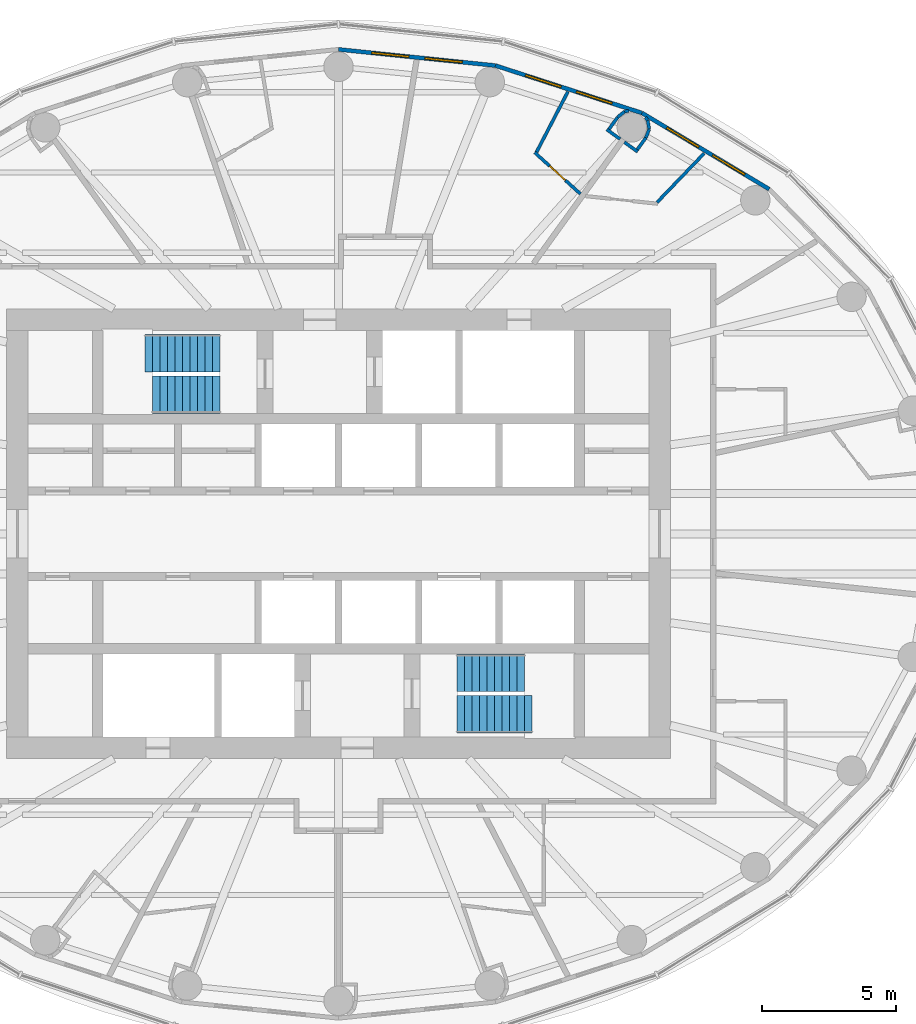
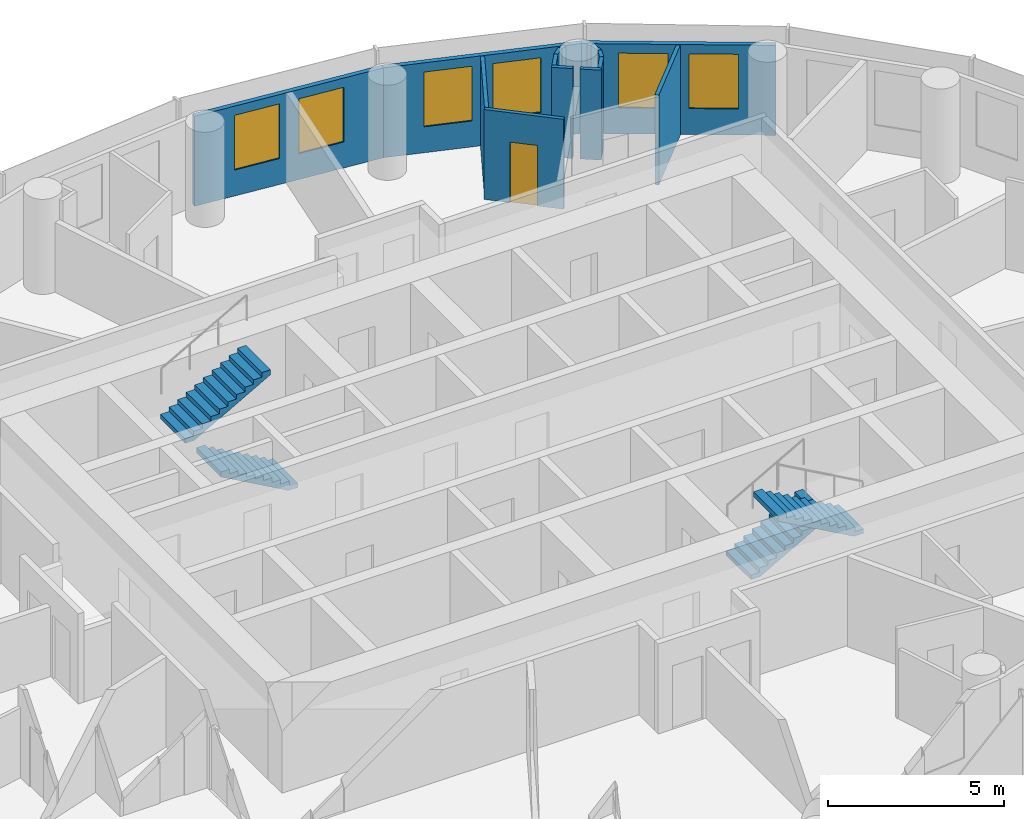
# One storey, part 12 of 13: 15 walls, 6 windows, 4 stair flights, 1 door, 7 openings, 2 elements without a shape of their own.
"""IFC4 building model written with IfcOpenShell, lengths in metres."""

from ifc_helpers import new_model, si_unit, direction, frame, frame_2d, origin, place, context, subcontext, project, spatial, polyline, rectangle, outline, extrude, material, layer, layer_set, type_object, element, fill, aggregate, save


model = new_model("IFC4")

# Units and contexts
model_context = context("Model", 3, precision=1e-05, world=origin(), true_north=direction((0.0, 1.0)))
body_context = subcontext(model_context, "Body", "Model", "MODEL_VIEW")
ifc_project = project(units=[si_unit("LENGTHUNIT", "METRE"), si_unit("AREAUNIT", "SQUARE_METRE"), si_unit("VOLUMEUNIT", "CUBIC_METRE"), si_unit("PLANEANGLEUNIT", "RADIAN"), si_unit("MASSUNIT", "GRAM", prefix="KILO")], contexts=[model_context])

# Site, building, storey
site_placement = place(None, origin())
site = spatial("IfcSite", under=ifc_project, at=site_placement, CompositionType="ELEMENT")
building_placement = place(site_placement, origin())
building = spatial("IfcBuilding", under=site, at=building_placement, Name="Hankou Lantern Tower", CompositionType="ELEMENT")
storey_placement = place(building_placement, frame((0.0, 0.0, 156.60009765625)))
storey = spatial("IfcBuildingStorey", under=building, at=storey_placement, Name="L41", CompositionType="ELEMENT", Elevation=156.60009765625)

# Wall, openings, windows
ifc_material_1 = material(Name="Aluminium spandrel panel on steel studs", Category="steel")
ifc_layer_1 = layer(ifc_material_1, 0.14990234375)
ifc_layer_set_1 = layer_set([ifc_layer_1], Name="Aluminium spandrel panel on steel studs")
wall_type_1 = type_object("IfcWallType", Name="EW1 INNER SKIN WALL 150", PredefinedType="ELEMENTEDWALL", material=ifc_layer_set_1)
wall_1_placement = place(storey_placement, frame((16.0947265625, 12.875732421875, 0.0), z_axis=(0.0, 0.0, 1.0), x_axis=(-0.857695199231, 0.514158482587, 0.0)))
wall_1 = element("IfcWall", 1, at=wall_1_placement, inside=storey, type_object=wall_type_1, Name="Inner skin R04-R05 L41", PredefinedType="ELEMENTEDWALL", context=body_context, shape_type="SweptSolid", body=[
    extrude(rectangle(XDim=5.5361328125, YDim=0.14990234375, at=frame_2d((2.76806640625, 0.0))), origin(), (0.0, 0.0, 1.0), 3.119873046875),
])
opening_1_placement = place(wall_1_placement, frame((1.068115234375, 0.0, 0.89990234375)))
opening_1 = element("IfcOpeningElement", 2, at=opening_1_placement, cuts=wall_1, Name="Opening W3", PredefinedType="OPENING", context=body_context, shape_type="SweptSolid", body=[
    extrude(rectangle(XDim=1.39990234375, YDim=1.89990234375, at=frame_2d((0.699951171875, 0.949951171875))), frame((0.0, 0.0849609375, 0.0), z_axis=(0.0, -1.0, 0.0), x_axis=(1.0, 0.0, 0.0)), (0.0, 0.0, 1.0), 0.169921875),
])
opening_2_placement = place(wall_1_placement, frame((3.068115234375, 0.0, 0.89990234375)))
opening_2 = element("IfcOpeningElement", 3, at=opening_2_placement, cuts=wall_1, Name="Opening W3", PredefinedType="OPENING", context=body_context, shape_type="SweptSolid", body=[
    extrude(rectangle(XDim=1.39990234375, YDim=1.89990234375, at=frame_2d((0.699951171875, 0.949951171875))), frame((0.0, 0.0849609375, 0.0), z_axis=(0.0, -1.0, 0.0), x_axis=(1.0, 0.0, 0.0)), (0.0, 0.0, 1.0), 0.169921875),
])
ifc_material_2 = material(Name="Aluminium framed double glazed window", Category="aluminium")
window_type = type_object("IfcWindowType", Name="W3 GUEST ROOM WINDOW 1400X1900", PartitioningType="DOUBLE_PANEL_VERTICAL", PredefinedType="WINDOW", material=ifc_material_2)
window_1_placement = place(opening_1_placement, origin())
window_1 = element("IfcWindow", 4, at=window_1_placement, inside=storey, type_object=window_type, Name="Window R04.1 L41", OverallHeight=1.89990234375, OverallWidth=1.39990234375, PartitioningType="SINGLE_PANEL", PredefinedType="WINDOW", context=body_context, shape_type="SweptSolid", body=[
    extrude(rectangle(XDim=1.39990234375, YDim=1.89990234375, at=frame_2d((0.699951171875, 0.949951171875))), frame((0.0, 0.030029296875, 0.0), z_axis=(0.0, -1.0, 0.0), x_axis=(1.0, 0.0, 0.0)), (0.0, 0.0, 1.0), 0.06005859375),
])
fill(opening_1, window_1)
window_2_placement = place(opening_2_placement, origin())
window_2 = element("IfcWindow", 5, at=window_2_placement, inside=storey, type_object=window_type, Name="Window R04.2 L41", OverallHeight=1.89990234375, OverallWidth=1.39990234375, PartitioningType="SINGLE_PANEL", PredefinedType="WINDOW", context=body_context, shape_type="SweptSolid", body=[
    extrude(rectangle(XDim=1.39990234375, YDim=1.89990234375, at=frame_2d((0.699951171875, 0.949951171875))), frame((0.0, 0.030029296875, 0.0), z_axis=(0.0, -1.0, 0.0), x_axis=(1.0, 0.0, 0.0)), (0.0, 0.0, 1.0), 0.06005859375),
])
fill(opening_2, window_2)

wall_2_placement = place(storey_placement, frame((11.346435546875, 15.72216796875, 0.0), z_axis=(0.0, 0.0, 1.0), x_axis=(-0.951432482129, 0.307857486429, 0.0)))
wall_2 = element("IfcWall", 6, at=wall_2_placement, inside=storey, type_object=wall_type_1, Name="Inner skin R05-R06 L41", PredefinedType="ELEMENTEDWALL", context=body_context, shape_type="SweptSolid", body=[
    extrude(rectangle(XDim=5.76611328125, YDim=0.14990234375, at=frame_2d((2.883056640625, 0.0))), origin(), (0.0, 0.0, 1.0), 3.119873046875),
])
opening_3_placement = place(wall_2_placement, frame((1.18310546875, 0.0, 0.89990234375)))
opening_3 = element("IfcOpeningElement", 7, at=opening_3_placement, cuts=wall_2, Name="Opening W3", PredefinedType="OPENING", context=body_context, shape_type="SweptSolid", body=[
    extrude(rectangle(XDim=1.39990234375, YDim=1.89990234375, at=frame_2d((0.699951171875, 0.949951171875))), frame((0.0, 0.0849609375, 0.0), z_axis=(0.0, -1.0, 0.0), x_axis=(1.0, 0.0, 0.0)), (0.0, 0.0, 1.0), 0.169921875),
])
opening_4_placement = place(wall_2_placement, frame((3.18310546875, 0.0, 0.89990234375)))
opening_4 = element("IfcOpeningElement", 8, at=opening_4_placement, cuts=wall_2, Name="Opening W3", PredefinedType="OPENING", context=body_context, shape_type="SweptSolid", body=[
    extrude(rectangle(XDim=1.39990234375, YDim=1.89990234375, at=frame_2d((0.699951171875, 0.949951171875))), frame((0.0, 0.0849609375, 0.0), z_axis=(0.0, -1.0, 0.0), x_axis=(1.0, 0.0, 0.0)), (0.0, 0.0, 1.0), 0.169921875),
])
window_3_placement = place(opening_3_placement, origin())
window_3 = element("IfcWindow", 9, at=window_3_placement, inside=storey, type_object=window_type, Name="Window R05.1 L41", OverallHeight=1.89990234375, OverallWidth=1.39990234375, PartitioningType="SINGLE_PANEL", PredefinedType="WINDOW", context=body_context, shape_type="SweptSolid", body=[
    extrude(rectangle(XDim=1.39990234375, YDim=1.89990234375, at=frame_2d((0.699951171875, 0.949951171875))), frame((0.0, 0.030029296875, 0.0), z_axis=(0.0, -1.0, 0.0), x_axis=(1.0, 0.0, 0.0)), (0.0, 0.0, 1.0), 0.06005859375),
])
fill(opening_3, window_3)
window_4_placement = place(opening_4_placement, origin())
window_4 = element("IfcWindow", 10, at=window_4_placement, inside=storey, type_object=window_type, Name="Window R05.2 L41", OverallHeight=1.89990234375, OverallWidth=1.39990234375, PartitioningType="SINGLE_PANEL", PredefinedType="WINDOW", context=body_context, shape_type="SweptSolid", body=[
    extrude(rectangle(XDim=1.39990234375, YDim=1.89990234375, at=frame_2d((0.699951171875, 0.949951171875))), frame((0.0, 0.030029296875, 0.0), z_axis=(0.0, -1.0, 0.0), x_axis=(1.0, 0.0, 0.0)), (0.0, 0.0, 1.0), 0.06005859375),
])
fill(opening_4, window_4)

wall_3_placement = place(storey_placement, frame((5.8603515625, 17.497314453125, 0.0), z_axis=(0.0, 0.0, 1.0), x_axis=(-0.994751738032, 0.102318032045, 0.0)))
wall_3 = element("IfcWall", 11, at=wall_3_placement, inside=storey, type_object=wall_type_1, Name="Inner skin R06-R07 L41", PredefinedType="ELEMENTEDWALL", context=body_context, shape_type="SweptSolid", body=[
    extrude(rectangle(XDim=5.891357421875, YDim=0.14990234375, at=frame_2d((2.94580078125, 0.0))), origin(), (0.0, 0.0, 1.0), 3.119873046875),
])
opening_5_placement = place(wall_3_placement, frame((1.24560546875, 0.0, 0.89990234375)))
opening_5 = element("IfcOpeningElement", 12, at=opening_5_placement, cuts=wall_3, Name="Opening W3", PredefinedType="OPENING", context=body_context, shape_type="SweptSolid", body=[
    extrude(rectangle(XDim=1.39990234375, YDim=1.89990234375, at=frame_2d((0.699951171875, 0.949951171875))), frame((0.0, 0.0849609375, 0.0), z_axis=(0.0, -1.0, 0.0), x_axis=(1.0, 0.0, 0.0)), (0.0, 0.0, 1.0), 0.169921875),
])
opening_6_placement = place(wall_3_placement, frame((3.24560546875, 0.0, 0.89990234375)))
opening_6 = element("IfcOpeningElement", 13, at=opening_6_placement, cuts=wall_3, Name="Opening W3", PredefinedType="OPENING", context=body_context, shape_type="SweptSolid", body=[
    extrude(rectangle(XDim=1.39990234375, YDim=1.89990234375, at=frame_2d((0.699951171875, 0.949951171875))), frame((0.0, 0.0849609375, 0.0), z_axis=(0.0, -1.0, 0.0), x_axis=(1.0, 0.0, 0.0)), (0.0, 0.0, 1.0), 0.169921875),
])
window_5_placement = place(opening_5_placement, origin())
window_5 = element("IfcWindow", 14, at=window_5_placement, inside=storey, type_object=window_type, Name="Window R06.1 L41", OverallHeight=1.89990234375, OverallWidth=1.39990234375, PartitioningType="SINGLE_PANEL", PredefinedType="WINDOW", context=body_context, shape_type="SweptSolid", body=[
    extrude(rectangle(XDim=1.39990234375, YDim=1.89990234375, at=frame_2d((0.699951171875, 0.949951171875))), frame((0.0, 0.030029296875, 0.0), z_axis=(0.0, -1.0, 0.0), x_axis=(1.0, 0.0, 0.0)), (0.0, 0.0, 1.0), 0.06005859375),
])
fill(opening_5, window_5)
window_6_placement = place(opening_6_placement, origin())
window_6 = element("IfcWindow", 15, at=window_6_placement, inside=storey, type_object=window_type, Name="Window R06.2 L41", OverallHeight=1.89990234375, OverallWidth=1.39990234375, PartitioningType="SINGLE_PANEL", PredefinedType="WINDOW", context=body_context, shape_type="SweptSolid", body=[
    extrude(rectangle(XDim=1.39990234375, YDim=1.89990234375, at=frame_2d((0.699951171875, 0.949951171875))), frame((0.0, 0.030029296875, 0.0), z_axis=(0.0, -1.0, 0.0), x_axis=(1.0, 0.0, 0.0)), (0.0, 0.0, 1.0), 0.06005859375),
])
fill(opening_6, window_6)

# Walls
ifc_material_3 = material(Name="Masonry lightweight concrete block", Category="masonry")
ifc_layer_2 = layer(ifc_material_3, 0.1201171875)
ifc_layer_set_2 = layer_set([ifc_layer_2], Name="Masonry lightweight concrete block")
wall_type_2 = type_object("IfcWallType", Name="IW3 BATHROOM WALL 120", PredefinedType="PARTITIONING", material=ifc_layer_set_2)
wall_4_placement = place(storey_placement, frame((11.90234375, 12.383056640625, 0.0), z_axis=(0.0, 0.0, 1.0), x_axis=(0.69298385335, 0.720953104574, 0.0)))
element("IfcWall", 16, at=wall_4_placement, inside=storey, type_object=wall_type_2, Name="Box wall 4113 2", PredefinedType="PARTITIONING", context=body_context, shape_type="SweptSolid", body=[
    extrude(rectangle(XDim=2.5400390625, YDim=0.1201171875, at=frame_2d((1.27001953125, 0.0))), origin(), (0.0, 0.0, 1.0), 3.119873046875),
])
wall_5_placement = place(storey_placement, frame((10.683837890625, 14.633056640625, 0.0), z_axis=(0.0, 0.0, 1.0), x_axis=(0.810921075692, -0.585155542568, 0.0)))
element("IfcWall", 17, at=wall_5_placement, inside=storey, type_object=wall_type_2, Name="Column casing 4113 return", PredefinedType="PARTITIONING", context=body_context, shape_type="SweptSolid", body=[
    extrude(rectangle(XDim=0.612060546875, YDim=0.1201171875, at=frame_2d((0.30615234375, 0.0))), origin(), (0.0, 0.0, 1.0), 3.119873046875),
])
wall_6_placement = place(storey_placement, frame((11.166748046875, 14.358642578125, 0.0), z_axis=(0.0, 0.0, 1.0), x_axis=(0.585263549799, 0.810843127415, 0.0)))
element("IfcWall", 18, at=wall_6_placement, inside=storey, type_object=wall_type_2, Name="Column casing 4113", PredefinedType="PARTITIONING", context=body_context, shape_type="SweptSolid", body=[
    extrude(rectangle(XDim=0.5498046875, YDim=0.1201171875, at=frame_2d((0.27490234375, 0.0))), origin(), (0.0, 0.0, 1.0), 3.119873046875),
])
for number, where, z_axis, x_axis, name in (
    (19, (11.488525390625, 14.804443359375, 0.0), (0.0, 0.0, 1.0), (0.355634599475, 0.934625075448, 0.0), "Column casing 4113"),
    (20, (11.608642578125, 15.1201171875, 0.0), (0.0, 0.0, 1.0), (-0.159823572519, 0.987145594969, 0.0), "Column casing 4113"),
):
    element("IfcWall", number, at=place(storey_placement, frame(where, z_axis=z_axis, x_axis=x_axis)), inside=storey, type_object=wall_type_2, Name=name, PredefinedType="PARTITIONING", context=body_context, shape_type="SweptSolid", body=[
        extrude(rectangle(XDim=0.337646484375, YDim=0.1201171875, at=frame_2d((0.1689453125, 0.0))), origin(), (0.0, 0.0, 1.0), 3.119873046875),
    ])
wall_7_placement = place(storey_placement, frame((11.5546875, 15.453369140625, 0.0), z_axis=(0.0, 0.0, 1.0), x_axis=(-0.631711901025, 0.775203246964, 0.0)))
element("IfcWall", 21, at=wall_7_placement, inside=storey, type_object=wall_type_2, Name="Column casing 4113", PredefinedType="PARTITIONING", context=body_context, shape_type="SweptSolid", body=[
    extrude(rectangle(XDim=0.139404296875, YDim=0.1201171875, at=frame_2d((0.06982421875, 0.0))), origin(), (0.0, 0.0, 1.0), 3.119873046875),
])

# Wall, opening, door
wall_8_placement = place(storey_placement, frame((9.041748046875, 12.699462890625, 0.0), z_axis=(0.0, 0.0, 1.0), x_axis=(-0.741100257539, 0.671394376112, 0.0)))
wall_8 = element("IfcWall", 22, at=wall_8_placement, inside=storey, type_object=wall_type_2, Name="Box wall 4114 1", PredefinedType="PARTITIONING", context=body_context, shape_type="SweptSolid", body=[
    extrude(rectangle(XDim=2.3115234375, YDim=0.1201171875, at=frame_2d((1.15576171875, 0.0))), origin(), (0.0, 0.0, 1.0), 3.119873046875),
])
opening_7_placement = place(wall_8_placement, frame((0.755859375, 0.0, 0.0)))
opening_7 = element("IfcOpeningElement", 23, at=opening_7_placement, cuts=wall_8, Name="Opening D3", PredefinedType="OPENING", context=body_context, shape_type="SweptSolid", body=[
    extrude(rectangle(XDim=0.800048828125, YDim=2.10009765625, at=frame_2d((0.39990234375, 1.050048828125))), frame((0.0, 0.070068359375, 0.0), z_axis=(0.0, -1.0, 0.0), x_axis=(1.0, 0.0, 0.0)), (0.0, 0.0, 1.0), 0.14013671875),
])
ifc_material_4 = material(Name="Timber door leaf", Category="wood")
door_type = type_object("IfcDoorType", Name="D3 BATHROOM DOOR 800X2100", OperationType="SINGLE_SWING_LEFT", PredefinedType="DOOR", material=ifc_material_4)
door_placement = place(opening_7_placement, origin())
door = element("IfcDoor", 24, at=door_placement, inside=storey, type_object=door_type, Name="En-suite bathroom 4114 door", OperationType="SINGLE_SWING_LEFT", OverallHeight=2.10009765625, OverallWidth=0.800048828125, PredefinedType="DOOR", context=body_context, shape_type="SweptSolid", body=[
    extrude(rectangle(XDim=0.800048828125, YDim=2.10009765625, at=frame_2d((0.39990234375, 1.050048828125))), frame((0.0, 0.02490234375, 0.0), z_axis=(0.0, -1.0, 0.0), x_axis=(1.0, 0.0, 0.0)), (0.0, 0.0, 1.0), 0.050048828125),
])
fill(opening_7, door)

# Walls
wall_9_placement = place(storey_placement, frame((7.400634765625, 14.264404296875, 0.0), z_axis=(0.0, 0.0, 1.0), x_axis=(0.460505131319, 0.887657041897, 0.0)))
element("IfcWall", 25, at=wall_9_placement, inside=storey, type_object=wall_type_2, Name="Box wall 4114 2", PredefinedType="PARTITIONING", context=body_context, shape_type="SweptSolid", body=[
    extrude(rectangle(XDim=2.5400390625, YDim=0.1201171875, at=frame_2d((1.27001953125, 0.0))), origin(), (0.0, 0.0, 1.0), 3.119873046875),
])
wall_10_placement = place(storey_placement, frame((10.521728515625, 14.750244140625, 0.0), z_axis=(0.0, 0.0, 1.0), x_axis=(-0.811057588427, 0.584966313777, 0.0)))
element("IfcWall", 26, at=wall_10_placement, inside=storey, type_object=wall_type_2, Name="Column casing 4114 return", PredefinedType="PARTITIONING", context=body_context, shape_type="SweptSolid", body=[
    extrude(rectangle(XDim=0.6123046875, YDim=0.1201171875, at=frame_2d((0.30615234375, 0.0))), origin(), (0.0, 0.0, 1.0), 3.119873046875),
])
wall_11_placement = place(storey_placement, frame((10.10888671875, 15.121826171875, 0.0), z_axis=(0.0, 0.0, 1.0), x_axis=(0.585344718358, 0.810784534072, 0.0)))
element("IfcWall", 27, at=wall_11_placement, inside=storey, type_object=wall_type_2, Name="Column casing 4114", PredefinedType="PARTITIONING", context=body_context, shape_type="SweptSolid", body=[
    extrude(rectangle(XDim=0.550048828125, YDim=0.1201171875, at=frame_2d((0.27490234375, 0.0))), origin(), (0.0, 0.0, 1.0), 3.119873046875),
])
wall_12_placement = place(storey_placement, frame((10.430908203125, 15.56787109375, 0.0), z_axis=(0.0, 0.0, 1.0), x_axis=(0.77505137267, 0.631898227345, 0.0)))
element("IfcWall", 28, at=wall_12_placement, inside=storey, type_object=wall_type_2, Name="Column casing 4114", PredefinedType="PARTITIONING", context=body_context, shape_type="SweptSolid", body=[
    extrude(rectangle(XDim=0.337646484375, YDim=0.1201171875, at=frame_2d((0.1689453125, 0.0))), origin(), (0.0, 0.0, 1.0), 3.119873046875),
])
wall_13_placement = place(storey_placement, frame((10.692626953125, 15.78125, 0.0), z_axis=(0.0, 0.0, 1.0), x_axis=(0.987256785332, 0.159135287777, 0.0)))
element("IfcWall", 29, at=wall_13_placement, inside=storey, type_object=wall_type_2, Name="Column casing 4114", PredefinedType="PARTITIONING", context=body_context, shape_type="SweptSolid", body=[
    extrude(rectangle(XDim=0.157958984375, YDim=0.1201171875, at=frame_2d((0.0791015625, 0.0))), origin(), (0.0, 0.0, 1.0), 3.119873046875),
])

# Stair, stair flight
ifc_material_5 = material(Name="Concrete C40", Category="concrete")
stair_type = type_object("IfcStairType", Name="ST33 CORE STAIR 3300 RISE", PredefinedType="HALF_TURN_STAIR", material=ifc_material_5)
stair_1_placement = place(storey_placement, origin())
stair_1 = element("IfcStair", 30, at=stair_1_placement, inside=storey, type_object=stair_type, Name="Stair STA L41", PredefinedType="HALF_TURN_STAIR")
ifc_material_6 = material(Name="Concrete C40", Category="concrete")
stair_flight_type_1 = type_object("IfcStairFlightType", Name="CF10 CORE STAIR FLIGHT 1400 X 10 RISERS", PredefinedType="STRAIGHT", material=ifc_material_6)
stair_flight_1_placement = place(storey_placement, frame((-4.429931640625, 5.199951171875, 0.0), z_axis=(0.0, 0.0, 1.0), x_axis=(-1.0, 0.0, 0.0)))
stair_flight_1 = element("IfcStairFlight", 31, at=stair_flight_1_placement, type_object=stair_flight_type_1, Name="STA flight 1", NumberOfRisers=10, NumberOfTreads=9, PredefinedType="STRAIGHT", RiserHeight=0.157142857, TreadLength=0.28, context=body_context, shape_type="SweptSolid", body=[
    extrude(outline(polyline([(0.0, 0.0), (0.0, 0.1572265625), (0.280029296875, 0.1572265625), (0.280029296875, 0.314208984375), (0.56005859375, 0.314208984375), (0.56005859375, 0.471435546875), (0.840087890625, 0.471435546875), (0.840087890625, 0.628662109375), (1.1201171875, 0.628662109375), (1.1201171875, 0.78564453125), (1.39990234375, 0.78564453125), (1.39990234375, 0.94287109375), (1.679931640625, 0.94287109375), (1.679931640625, 1.10009765625), (1.9599609375, 1.10009765625), (1.9599609375, 1.257080078125), (2.239990234375, 1.257080078125), (2.239990234375, 1.414306640625), (2.52001953125, 1.414306640625), (2.52001953125, 1.571533203125), (2.52001953125, 1.242431640625), (0.306396484375, 0.0), (0.0, 0.0)])), frame((0.0, 0.699951171875, 0.0), z_axis=(0.0, -1.0, 0.0), x_axis=(1.0, 0.0, 0.0)), (0.0, 0.0, 1.0), 1.39990234375),
])

stair_2_placement = place(storey_placement, origin())
stair_2 = element("IfcStair", 32, at=stair_2_placement, inside=storey, type_object=stair_type, Name="Stair STB L41", PredefinedType="HALF_TURN_STAIR")
stair_flight_2_placement = place(storey_placement, frame((4.429931640625, -5.199951171875, 0.0), z_axis=(0.0, 0.0, 1.0), x_axis=(1.0, 0.0, 0.0)))
stair_flight_2 = element("IfcStairFlight", 33, at=stair_flight_2_placement, type_object=stair_flight_type_1, Name="STB flight 1", NumberOfRisers=10, NumberOfTreads=9, PredefinedType="STRAIGHT", RiserHeight=0.157142857, TreadLength=0.28, context=body_context, shape_type="SweptSolid", body=[
    extrude(outline(polyline([(0.0, 0.0), (0.0, 0.1572265625), (0.280029296875, 0.1572265625), (0.280029296875, 0.314208984375), (0.56005859375, 0.314208984375), (0.56005859375, 0.471435546875), (0.840087890625, 0.471435546875), (0.840087890625, 0.628662109375), (1.1201171875, 0.628662109375), (1.1201171875, 0.78564453125), (1.39990234375, 0.78564453125), (1.39990234375, 0.94287109375), (1.679931640625, 0.94287109375), (1.679931640625, 1.10009765625), (1.9599609375, 1.10009765625), (1.9599609375, 1.257080078125), (2.239990234375, 1.257080078125), (2.239990234375, 1.414306640625), (2.52001953125, 1.414306640625), (2.52001953125, 1.571533203125), (2.52001953125, 1.242431640625), (0.306396484375, 0.0), (0.0, 0.0)])), frame((0.0, 0.699951171875, 0.0), z_axis=(0.0, -1.0, 0.0), x_axis=(1.0, 0.0, 0.0)), (0.0, 0.0, 1.0), 1.39990234375),
])

# Stair flight
ifc_material_7 = material(Name="Concrete C40", Category="concrete")
stair_flight_type_2 = type_object("IfcStairFlightType", Name="CF11 CORE STAIR FLIGHT 1400 X 11 RISERS", PredefinedType="STRAIGHT", material=ifc_material_7)
stair_flight_3_placement = place(storey_placement, frame((-7.22998046875, 6.75, 1.5712890625), z_axis=(0.0, 0.0, 1.0), x_axis=(1.0, 0.0, 0.0)))
stair_flight_3 = element("IfcStairFlight", 34, at=stair_flight_3_placement, type_object=stair_flight_type_2, Name="STA flight 2", NumberOfRisers=11, NumberOfTreads=10, PredefinedType="STRAIGHT", RiserHeight=0.157142857, TreadLength=0.28, context=body_context, shape_type="SweptSolid", body=[
    extrude(outline(polyline([(0.0, 0.0), (0.0, 0.1572265625), (0.280029296875, 0.1572265625), (0.280029296875, 0.314208984375), (0.56005859375, 0.314208984375), (0.56005859375, 0.471435546875), (0.840087890625, 0.471435546875), (0.840087890625, 0.628662109375), (1.1201171875, 0.628662109375), (1.1201171875, 0.78564453125), (1.39990234375, 0.78564453125), (1.39990234375, 0.94287109375), (1.679931640625, 0.94287109375), (1.679931640625, 1.10009765625), (1.9599609375, 1.10009765625), (1.9599609375, 1.257080078125), (2.239990234375, 1.257080078125), (2.239990234375, 1.414306640625), (2.52001953125, 1.414306640625), (2.52001953125, 1.571533203125), (2.800048828125, 1.571533203125), (2.800048828125, 1.728515625), (2.800048828125, 1.3994140625), (0.306396484375, 0.0), (0.0, 0.0)])), frame((0.0, 0.699951171875, 0.0), z_axis=(0.0, -1.0, 0.0), x_axis=(1.0, 0.0, 0.0)), (0.0, 0.0, 1.0), 1.39990234375),
])

aggregate(stair_1, [stair_flight_1, stair_flight_3])

stair_flight_4_placement = place(storey_placement, frame((7.22998046875, -6.75, 1.5712890625), z_axis=(0.0, 0.0, 1.0), x_axis=(-1.0, 0.0, 0.0)))
stair_flight_4 = element("IfcStairFlight", 35, at=stair_flight_4_placement, type_object=stair_flight_type_2, Name="STB flight 2", NumberOfRisers=11, NumberOfTreads=10, PredefinedType="STRAIGHT", RiserHeight=0.157142857, TreadLength=0.28, context=body_context, shape_type="SweptSolid", body=[
    extrude(outline(polyline([(0.0, 0.0), (0.0, 0.1572265625), (0.280029296875, 0.1572265625), (0.280029296875, 0.314208984375), (0.56005859375, 0.314208984375), (0.56005859375, 0.471435546875), (0.840087890625, 0.471435546875), (0.840087890625, 0.628662109375), (1.1201171875, 0.628662109375), (1.1201171875, 0.78564453125), (1.39990234375, 0.78564453125), (1.39990234375, 0.94287109375), (1.679931640625, 0.94287109375), (1.679931640625, 1.10009765625), (1.9599609375, 1.10009765625), (1.9599609375, 1.257080078125), (2.239990234375, 1.257080078125), (2.239990234375, 1.414306640625), (2.52001953125, 1.414306640625), (2.52001953125, 1.571533203125), (2.800048828125, 1.571533203125), (2.800048828125, 1.728515625), (2.800048828125, 1.3994140625), (0.306396484375, 0.0), (0.0, 0.0)])), frame((0.0, 0.699951171875, 0.0), z_axis=(0.0, -1.0, 0.0), x_axis=(1.0, 0.0, 0.0)), (0.0, 0.0, 1.0), 1.39990234375),
])

aggregate(stair_2, [stair_flight_2, stair_flight_4])

save(model, "model.ifc")
